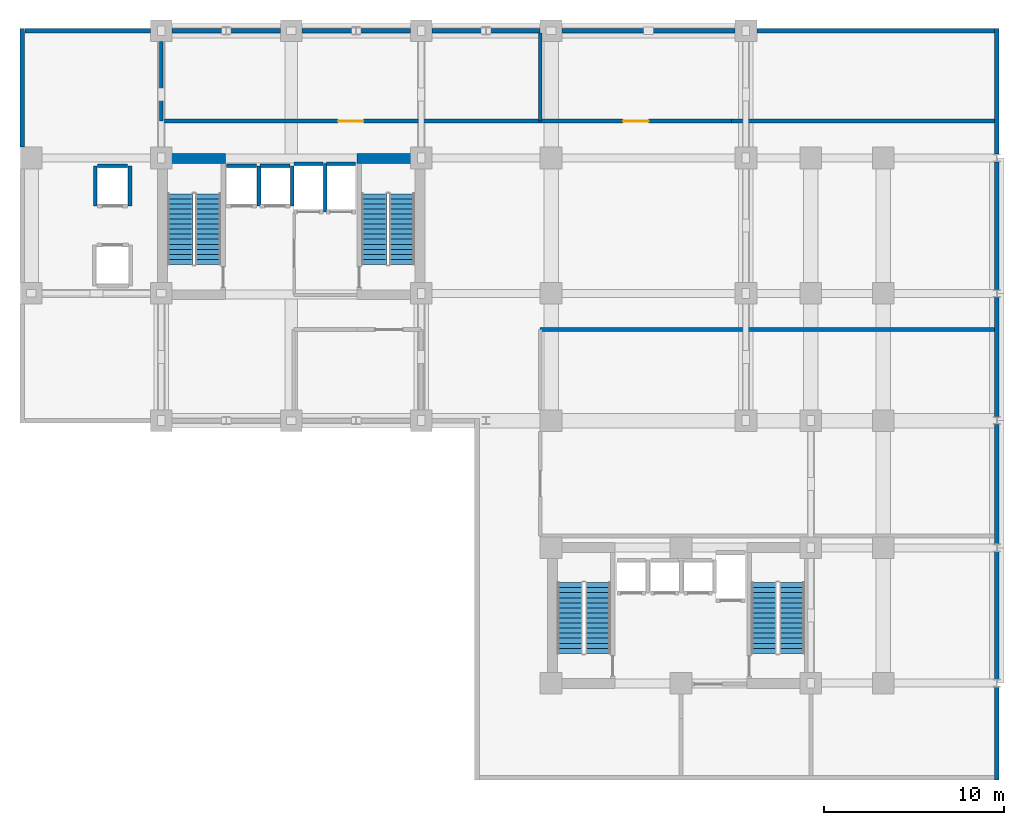
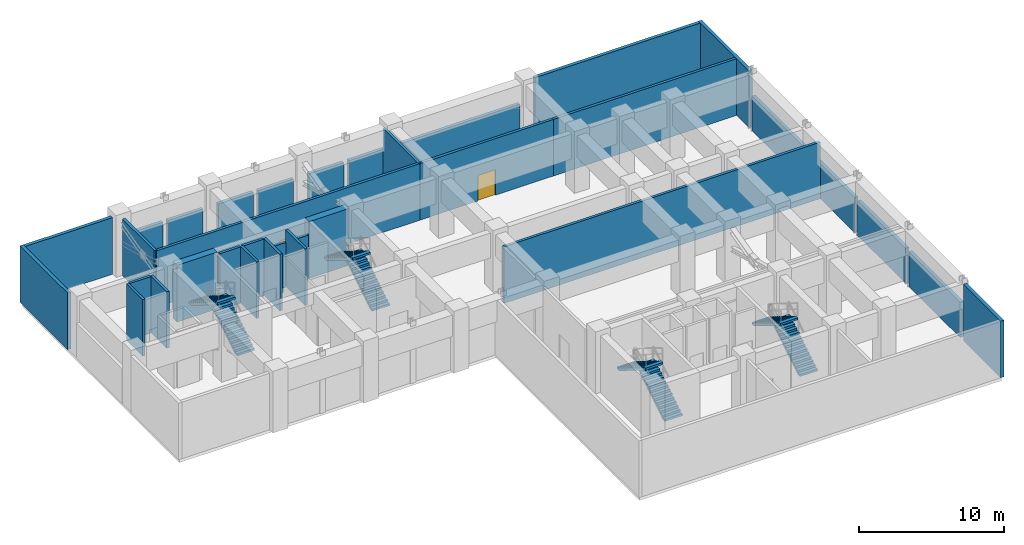
# One storey, part 5 of 8: 34 walls, 8 stair flights, 2 doors, 2 openings, 4 elements without a shape of their own.
"""IFC4 building model written with IfcOpenShell, lengths in metres."""

from ifc_helpers import new_model, si_unit, direction, frame, frame_2d, origin, place, context, subcontext, project, spatial, polyline, rectangle, outline, extrude, material, layer, layer_set, type_object, element, fill, aggregate, save


model = new_model("IFC4")

# Units and contexts
model_context = context("Model", 3, precision=1e-05, world=origin(), true_north=direction((0.0, 1.0)))
body_context = subcontext(model_context, "Body", "Model", "MODEL_VIEW")
ifc_project = project(units=[si_unit("LENGTHUNIT", "METRE"), si_unit("AREAUNIT", "SQUARE_METRE"), si_unit("VOLUMEUNIT", "CUBIC_METRE"), si_unit("PLANEANGLEUNIT", "RADIAN"), si_unit("MASSUNIT", "GRAM", prefix="KILO")], contexts=[model_context])

# Site, building, storey
site_placement = place(None, origin())
site = spatial("IfcSite", under=ifc_project, at=site_placement, CompositionType="ELEMENT")
building_placement = place(site_placement, origin())
building = spatial("IfcBuilding", under=site, at=building_placement, Name="Kaliganga Portal Commons", CompositionType="ELEMENT")
storey_placement = place(building_placement, frame((0.0, 0.0, 130.39990234375)))
storey = spatial("IfcBuildingStorey", under=building, at=storey_placement, Name="L33", CompositionType="ELEMENT", Elevation=130.39990234375)

# Walls
ifc_material_1 = material(Name="Concrete C60/75", Category="concrete")
ifc_layer_1 = layer(ifc_material_1, 0.550048828125)
ifc_layer_set_1 = layer_set([ifc_layer_1], Name="Concrete C60/75")
wall_type_1 = type_object("IfcWallType", Name="WL-CORE-550", PredefinedType="SHEAR", material=ifc_layer_set_1)
for number, where, z_axis, x_axis, name in (
    (1, (14.75, 36.125, 0.0), (0.0, 0.0, 1.0), (1.0, 0.0, 0.0), "Core A N-West Shear Wall L33"),
    (2, (25.25, 36.125, 0.0), (0.0, 0.0, 1.0), (1.0, 0.0, 0.0), "Core A N-East Shear Wall L33"),
):
    element("IfcWall", number, at=place(storey_placement, frame(where, z_axis=z_axis, x_axis=x_axis)), inside=storey, type_object=wall_type_1, Name=name, PredefinedType="SHEAR", context=body_context, shape_type="SweptSolid", body=[
        extrude(rectangle(XDim=3.199951171875, YDim=0.550048828125, at=frame_2d((1.60009765625, 0.0))), origin(), (0.0, 0.0, 1.0), 4.780029296875),
    ])
ifc_material_2 = material(Name="Insulated Aluminium-Clad Spandrel Assembly", Category="aluminium")
ifc_layer_2 = layer(ifc_material_2, 0.260009765625)
ifc_layer_set_2 = layer_set([ifc_layer_2], Name="Insulated Aluminium-Clad Spandrel Assembly")
wall_type_2 = type_object("IfcWallType", Name="WL-EXT-SPAND-260", PredefinedType="STANDARD", material=ifc_layer_set_2)
wall_1_placement = place(storey_placement, frame((60.699951171875, 6.833984375, 0.0), z_axis=(0.0, 0.0, 1.0), x_axis=(0.0, -1.0, 0.0)))
element("IfcWall", 3, at=wall_1_placement, inside=storey, type_object=wall_type_2, Name="Exterior Envelope Wall L33 P1-E01-S1", PredefinedType="STANDARD", context=body_context, shape_type="SweptSolid", body=[
    extrude(rectangle(XDim=5.1640625, YDim=0.260009765625, at=frame_2d((2.58203125, 0.0))), origin(), (0.0, 0.0, 1.0), 4.760009765625),
])
wall_2_placement = place(storey_placement, frame((60.699951171875, 14.333984375, 0.0), z_axis=(0.0, 0.0, 1.0), x_axis=(0.0, -1.0, 0.0)))
element("IfcWall", 4, at=wall_2_placement, inside=storey, type_object=wall_type_2, Name="Exterior Envelope Wall L33 P1-E01-S2", PredefinedType="STANDARD", context=body_context, shape_type="SweptSolid", body=[
    extrude(rectangle(XDim=7.06787109375, YDim=0.260009765625, at=frame_2d((3.533935546875, 0.0))), origin(), (0.0, 0.0, 1.0), 2.960205078125),
])
wall_3_placement = place(storey_placement, frame((60.699951171875, 21.384033203125, 0.0), z_axis=(0.0, 0.0, 1.0), x_axis=(0.0, -1.0, 0.0)))
element("IfcWall", 5, at=wall_3_placement, inside=storey, type_object=wall_type_2, Name="Exterior Envelope Wall L33 P1-E01-S3", PredefinedType="STANDARD", context=body_context, shape_type="SweptSolid", body=[
    extrude(rectangle(XDim=6.617919921875, YDim=0.260009765625, at=frame_2d((3.30908203125, 0.0))), origin(), (0.0, 0.0, 1.0), 2.960205078125),
])
wall_4_placement = place(storey_placement, frame((60.699951171875, 28.43408203125, 0.0), z_axis=(0.0, 0.0, 1.0), x_axis=(0.0, -1.0, 0.0)))
element("IfcWall", 6, at=wall_4_placement, inside=storey, type_object=wall_type_2, Name="Exterior Envelope Wall L33 P1-E01-S4", PredefinedType="STANDARD", context=body_context, shape_type="SweptSolid", body=[
    extrude(rectangle(XDim=6.6181640625, YDim=0.260009765625, at=frame_2d((3.30908203125, 0.0))), origin(), (0.0, 0.0, 1.0), 2.960205078125),
])
wall_5_placement = place(storey_placement, frame((60.699951171875, 35.93408203125, 0.0), z_axis=(0.0, 0.0, 1.0), x_axis=(0.0, -1.0, 0.0)))
element("IfcWall", 7, at=wall_5_placement, inside=storey, type_object=wall_type_2, Name="Exterior Envelope Wall L33 P1-E01-S5", PredefinedType="STANDARD", context=body_context, shape_type="SweptSolid", body=[
    extrude(rectangle(XDim=7.068115234375, YDim=0.260009765625, at=frame_2d((3.5341796875, 0.0))), origin(), (0.0, 0.0, 1.0), 2.960205078125),
])
wall_6_placement = place(storey_placement, frame((60.699951171875, 43.330078125, 0.0), z_axis=(0.0, 0.0, 1.0), x_axis=(0.0, -1.0, 0.0)))
element("IfcWall", 8, at=wall_6_placement, inside=storey, type_object=wall_type_2, Name="Exterior Envelope Wall L33 P1-E01-S6", PredefinedType="STANDARD", context=body_context, shape_type="SweptSolid", body=[
    extrude(rectangle(XDim=6.964111328125, YDim=0.260009765625, at=frame_2d((3.48193359375, 0.0))), origin(), (0.0, 0.0, 1.0), 4.760009765625),
])
wall_7_placement = place(storey_placement, frame((47.40087890625, 43.199951171875, 0.0), z_axis=(0.0, 0.0, 1.0), x_axis=(1.0, 0.0, 0.0)))
element("IfcWall", 9, at=wall_7_placement, inside=storey, type_object=wall_type_2, Name="Exterior Envelope Wall L33 P1-E02-S1", PredefinedType="STANDARD", context=body_context, shape_type="SweptSolid", body=[
    extrude(rectangle(XDim=13.1640625, YDim=0.260009765625, at=frame_2d((6.58203125, 0.0))), origin(), (0.0, 0.0, 1.0), 4.760009765625),
])
wall_8_placement = place(storey_placement, frame((36.60107421875, 43.199951171875, 0.0), z_axis=(0.0, 0.0, 1.0), x_axis=(1.0, 0.0, 0.0)))
element("IfcWall", 10, at=wall_8_placement, inside=storey, type_object=wall_type_2, Name="Exterior Envelope Wall L33 P1-E02-S2", PredefinedType="STANDARD", context=body_context, shape_type="SweptSolid", body=[
    extrude(rectangle(XDim=9.597900390625, YDim=0.260009765625, at=frame_2d((4.798828125, 0.0))), origin(), (0.0, 0.0, 1.0), 2.960205078125),
])
wall_9_placement = place(storey_placement, frame((32.60546875, 43.199951171875, 0.0), z_axis=(0.0, 0.0, 1.0), x_axis=(1.0, 0.0, 0.0)))
element("IfcWall", 11, at=wall_9_placement, inside=storey, type_object=wall_type_2, Name="Exterior Envelope Wall L33 P1-E02-S3", PredefinedType="STANDARD", context=body_context, shape_type="SweptSolid", body=[
    extrude(rectangle(XDim=2.79345703125, YDim=0.260009765625, at=frame_2d((1.396728515625, 0.0))), origin(), (0.0, 0.0, 1.0), 2.960205078125),
])
wall_10_placement = place(storey_placement, frame((29.40087890625, 43.199951171875, 0.0), z_axis=(0.0, 0.0, 1.0), x_axis=(1.0, 0.0, 0.0)))
element("IfcWall", 12, at=wall_10_placement, inside=storey, type_object=wall_type_2, Name="Exterior Envelope Wall L33 P1-E02-S4", PredefinedType="STANDARD", context=body_context, shape_type="SweptSolid", body=[
    extrude(rectangle(XDim=2.793701171875, YDim=0.260009765625, at=frame_2d((1.39697265625, 0.0))), origin(), (0.0, 0.0, 1.0), 2.960205078125),
])
for number, where, z_axis, x_axis, name in (
    (13, (25.405517578125, 43.199951171875, 0.0), (0.0, 0.0, 1.0), (1.0, 0.0, 0.0), "Exterior Envelope Wall L33 P1-E02-S5"),
    (14, (22.200927734375, 43.199951171875, 0.0), (0.0, 0.0, 1.0), (1.0, 0.0, 0.0), "Exterior Envelope Wall L33 P1-E02-S6"),
    (15, (18.20556640625, 43.199951171875, 0.0), (0.0, 0.0, 1.0), (1.0, 0.0, 0.0), "Exterior Envelope Wall L33 P1-E02-S7"),
    (16, (15.0009765625, 43.199951171875, 0.0), (0.0, 0.0, 1.0), (1.0, 0.0, 0.0), "Exterior Envelope Wall L33 P1-E02-S8"),
):
    element("IfcWall", number, at=place(storey_placement, frame(where, z_axis=z_axis, x_axis=x_axis)), inside=storey, type_object=wall_type_2, Name=name, PredefinedType="STANDARD", context=body_context, shape_type="SweptSolid", body=[
        extrude(rectangle(XDim=2.79345703125, YDim=0.260009765625, at=frame_2d((1.396728515625, 0.0))), origin(), (0.0, 0.0, 1.0), 2.960205078125),
    ])
wall_11_placement = place(storey_placement, frame((6.8349609375, 43.199951171875, 0.0), z_axis=(0.0, 0.0, 1.0), x_axis=(1.0, 0.0, 0.0)))
element("IfcWall", 17, at=wall_11_placement, inside=storey, type_object=wall_type_2, Name="Exterior Envelope Wall L33 P1-E02-S9", PredefinedType="STANDARD", context=body_context, shape_type="SweptSolid", body=[
    extrude(rectangle(XDim=6.964111328125, YDim=0.260009765625, at=frame_2d((3.48193359375, 0.0))), origin(), (0.0, 0.0, 1.0), 4.760009765625),
])
wall_12_placement = place(storey_placement, frame((6.699951171875, 36.7509765625, 0.0), z_axis=(0.0, 0.0, 1.0), x_axis=(0.0, 1.0, 0.0)))
element("IfcWall", 18, at=wall_12_placement, inside=storey, type_object=wall_type_2, Name="Exterior Envelope Wall L33 P1-E03-S1", PredefinedType="STANDARD", context=body_context, shape_type="SweptSolid", body=[
    extrude(rectangle(XDim=6.5791015625, YDim=0.260009765625, at=frame_2d((3.28955078125, 0.0))), origin(), (0.0, 0.0, 1.0), 4.760009765625),
])

# Wall, opening, door
ifc_material_3 = material(Name="Lightweight blockwork masonry", Category="masonry")
ifc_layer_3 = layer(ifc_material_3, 0.215087890625)
ifc_layer_set_3 = layer_set([ifc_layer_3], Name="Lightweight blockwork masonry")
wall_type_3 = type_object("IfcWallType", Name="WL-PART-PLANT-215", PredefinedType="PARTITIONING", material=ifc_layer_set_3)
wall_13_placement = place(storey_placement, frame((14.39990234375, 38.199951171875, 0.0), z_axis=(0.0, 0.0, 1.0), x_axis=(1.0, 0.0, 0.0)))
wall_13 = element("IfcWall", 19, at=wall_13_placement, inside=storey, type_object=wall_type_3, Name="Interior Partition L33-002", PredefinedType="PARTITIONING", context=body_context, shape_type="SweptSolid", body=[
    extrude(rectangle(XDim=21.0, YDim=0.215087890625, at=frame_2d((10.5, 0.0))), origin(), (0.0, 0.0, 1.0), 4.760009765625),
])
opening_1_placement = place(wall_13_placement, frame((9.800048828125, 0.0, 0.0)))
opening_1 = element("IfcOpeningElement", 20, at=opening_1_placement, cuts=wall_13, Name="Opening PD-01", PredefinedType="OPENING", context=body_context, shape_type="SweptSolid", body=[
    extrude(rectangle(XDim=1.39990234375, YDim=2.14990234375, at=frame_2d((0.699951171875, 1.074951171875))), frame((0.0, 0.11767578125, 0.0), z_axis=(0.0, -1.0, 0.0), x_axis=(1.0, 0.0, 0.0)), (0.0, 0.0, 1.0), 0.235107421875),
])
ifc_material_4 = material(Name="Heavy-Duty Steel Acoustic Louvre Fire Door", Category="steel")
door_type = type_object("IfcDoorType", Name="DR-PLANT-1400", OperationType="DOUBLE_DOOR_SINGLE_SWING", PredefinedType="DOOR", material=ifc_material_4)
door_1_placement = place(opening_1_placement, origin())
door_1 = element("IfcDoor", 21, at=door_1_placement, inside=storey, type_object=door_type, Name="Interior Door L33-AHU_N", OperationType="DOUBLE_DOOR_SINGLE_SWING", OverallHeight=2.14990234375, OverallWidth=1.39990234375, PredefinedType="DOOR", context=body_context, shape_type="SweptSolid", body=[
    extrude(rectangle(XDim=1.39990234375, YDim=2.14990234375, at=frame_2d((0.699951171875, 1.074951171875))), frame((0.0, 0.02490234375, 0.0), z_axis=(0.0, -1.0, 0.0), x_axis=(1.0, 0.0, 0.0)), (0.0, 0.0, 1.0), 0.050048828125),
])
fill(opening_1, door_1)

wall_14_placement = place(storey_placement, frame((35.39990234375, 38.199951171875, 0.0), z_axis=(0.0, 0.0, 1.0), x_axis=(1.0, 0.0, 0.0)))
wall_14 = element("IfcWall", 22, at=wall_14_placement, inside=storey, type_object=wall_type_3, Name="Interior Partition L33-005", PredefinedType="PARTITIONING", context=body_context, shape_type="SweptSolid", body=[
    extrude(rectangle(XDim=10.60009765625, YDim=0.215087890625, at=frame_2d((5.300048828125, 0.0))), origin(), (0.0, 0.0, 1.0), 4.760009765625),
])
opening_2_placement = place(wall_14_placement, frame((4.60009765625, 0.0, 0.0)))
opening_2 = element("IfcOpeningElement", 23, at=opening_2_placement, cuts=wall_14, Name="Opening PD-01", PredefinedType="OPENING", context=body_context, shape_type="SweptSolid", body=[
    extrude(rectangle(XDim=1.39990234375, YDim=2.14990234375, at=frame_2d((0.699951171875, 1.074951171875))), frame((0.0, 0.11767578125, 0.0), z_axis=(0.0, -1.0, 0.0), x_axis=(1.0, 0.0, 0.0)), (0.0, 0.0, 1.0), 0.235107421875),
])
door_2_placement = place(opening_2_placement, origin())
door_2 = element("IfcDoor", 24, at=door_2_placement, inside=storey, type_object=door_type, Name="Interior Door L33-ELEC", OperationType="DOUBLE_DOOR_SINGLE_SWING", OverallHeight=2.14990234375, OverallWidth=1.39990234375, PredefinedType="DOOR", context=body_context, shape_type="SweptSolid", body=[
    extrude(rectangle(XDim=1.39990234375, YDim=2.14990234375, at=frame_2d((0.699951171875, 1.074951171875))), frame((0.0, 0.02490234375, 0.0), z_axis=(0.0, -1.0, 0.0), x_axis=(1.0, 0.0, 0.0)), (0.0, 0.0, 1.0), 0.050048828125),
])
fill(opening_2, door_2)

# Walls
wall_15_placement = place(storey_placement, frame((35.39990234375, 26.639892578125, 0.0), z_axis=(0.0, 0.0, 1.0), x_axis=(1.0, 0.0, 0.0)))
element("IfcWall", 25, at=wall_15_placement, inside=storey, type_object=wall_type_3, Name="Interior Partition L33-009", PredefinedType="PARTITIONING", context=body_context, shape_type="SweptSolid", body=[
    extrude(rectangle(XDim=25.168212890625, YDim=0.215087890625, at=frame_2d((12.583984375, 0.0))), origin(), (0.0, 0.0, 1.0), 4.760009765625),
])
wall_16_placement = place(storey_placement, frame((46.0, 38.199951171875, 0.0), z_axis=(0.0, 0.0, 1.0), x_axis=(1.0, 0.0, 0.0)))
element("IfcWall", 26, at=wall_16_placement, inside=storey, type_object=wall_type_3, Name="Interior Partition L33-010", PredefinedType="PARTITIONING", context=body_context, shape_type="SweptSolid", body=[
    extrude(rectangle(XDim=14.568115234375, YDim=0.215087890625, at=frame_2d((7.2841796875, 0.0))), origin(), (0.0, 0.0, 1.0), 4.760009765625),
])
wall_17_placement = place(storey_placement, frame((14.39990234375, 38.199951171875, 0.0), z_axis=(0.0, 0.0, 1.0), x_axis=(0.0, 1.0, 0.0)))
element("IfcWall", 27, at=wall_17_placement, inside=storey, type_object=wall_type_3, Name="Interior Partition L33-014", PredefinedType="PARTITIONING", context=body_context, shape_type="SweptSolid", body=[
    extrude(rectangle(XDim=4.400146484375, YDim=0.215087890625, at=frame_2d((2.2001953125, 0.0))), origin(), (0.0, 0.0, 1.0), 4.760009765625),
])
wall_18_placement = place(storey_placement, frame((35.39990234375, 38.199951171875, 0.0), z_axis=(0.0, 0.0, 1.0), x_axis=(0.0, 1.0, 0.0)))
element("IfcWall", 28, at=wall_18_placement, inside=storey, type_object=wall_type_3, Name="Interior Partition L33-015", PredefinedType="PARTITIONING", context=body_context, shape_type="SweptSolid", body=[
    extrude(rectangle(XDim=4.8681640625, YDim=0.215087890625, at=frame_2d((2.43408203125, 0.0))), origin(), (0.0, 0.0, 1.0), 4.760009765625),
])
ifc_material_5 = material(Name="Fire-Rated Shaftwall Masonry Assembly", Category="masonry")
ifc_layer_4 = layer(ifc_material_5, 0.199951171875)
ifc_layer_set_4 = layer_set([ifc_layer_4], Name="Fire-Rated Shaftwall Masonry Assembly")
wall_type_4 = type_object("IfcWallType", Name="WL-SHAFT-200", PredefinedType="PARTITIONING", material=ifc_layer_set_4)
wall_19_placement = place(storey_placement, frame((18.02490234375, 35.715087890625, 0.0), z_axis=(0.0, 0.0, 1.0), x_axis=(1.0, 0.0, 0.0)))
element("IfcWall", 29, at=wall_19_placement, inside=storey, type_object=wall_type_4, Name="Lift PL-A1 Hoistway Shaft Wall L33-N", PredefinedType="PARTITIONING", context=body_context, shape_type="SweptSolid", body=[
    extrude(rectangle(XDim=1.650146484375, YDim=0.199951171875, at=frame_2d((0.8251953125, 0.0))), origin(), (0.0, 0.0, 1.0), 4.760009765625),
])
wall_20_placement = place(storey_placement, frame((19.81494140625, 33.485107421875, 0.0), z_axis=(0.0, 0.0, 1.0), x_axis=(0.0, 1.0, 0.0)))
element("IfcWall", 30, at=wall_20_placement, inside=storey, type_object=wall_type_4, Name="Lift PL-A1 Hoistway Shaft Wall L33-E", PredefinedType="PARTITIONING", context=body_context, shape_type="SweptSolid", body=[
    extrude(rectangle(XDim=2.22998046875, YDim=0.199951171875, at=frame_2d((1.114990234375, 0.0))), origin(), (0.0, 0.0, 1.0), 4.760009765625),
])
wall_21_placement = place(storey_placement, frame((19.875, 35.715087890625, 0.0), z_axis=(0.0, 0.0, 1.0), x_axis=(1.0, 0.0, 0.0)))
element("IfcWall", 31, at=wall_21_placement, inside=storey, type_object=wall_type_4, Name="Lift PL-A2 Hoistway Shaft Wall L33-N", PredefinedType="PARTITIONING", context=body_context, shape_type="SweptSolid", body=[
    extrude(rectangle(XDim=1.64990234375, YDim=0.199951171875, at=frame_2d((0.824951171875, 0.0))), origin(), (0.0, 0.0, 1.0), 4.760009765625),
])
wall_22_placement = place(storey_placement, frame((21.6650390625, 33.485107421875, 0.0), z_axis=(0.0, 0.0, 1.0), x_axis=(0.0, 1.0, 0.0)))
element("IfcWall", 32, at=wall_22_placement, inside=storey, type_object=wall_type_4, Name="Lift PL-A2 Hoistway Shaft Wall L33-E", PredefinedType="PARTITIONING", context=body_context, shape_type="SweptSolid", body=[
    extrude(rectangle(XDim=2.22998046875, YDim=0.199951171875, at=frame_2d((1.114990234375, 0.0))), origin(), (0.0, 0.0, 1.0), 4.760009765625),
])
wall_23_placement = place(storey_placement, frame((10.875, 35.715087890625, 0.0), z_axis=(0.0, 0.0, 1.0), x_axis=(1.0, 0.0, 0.0)))
element("IfcWall", 33, at=wall_23_placement, inside=storey, type_object=wall_type_4, Name="Lift PL-OBS Hoistway Shaft Wall L33-N", PredefinedType="PARTITIONING", context=body_context, shape_type="SweptSolid", body=[
    extrude(rectangle(XDim=1.64990234375, YDim=0.199951171875, at=frame_2d((0.824951171875, 0.0))), origin(), (0.0, 0.0, 1.0), 4.760009765625),
])
for number, where, z_axis, x_axis, name in (
    (34, (10.735107421875, 33.485107421875, 0.0), (0.0, 0.0, 1.0), (0.0, 1.0, 0.0), "Lift PL-OBS Hoistway Shaft Wall L33-W"),
    (35, (12.6650390625, 33.485107421875, 0.0), (0.0, 0.0, 1.0), (0.0, 1.0, 0.0), "Lift PL-OBS Hoistway Shaft Wall L33-E"),
):
    element("IfcWall", number, at=place(storey_placement, frame(where, z_axis=z_axis, x_axis=x_axis)), inside=storey, type_object=wall_type_4, Name=name, PredefinedType="PARTITIONING", context=body_context, shape_type="SweptSolid", body=[
        extrude(rectangle(XDim=2.22998046875, YDim=0.199951171875, at=frame_2d((1.114990234375, 0.0))), origin(), (0.0, 0.0, 1.0), 4.760009765625),
    ])
wall_24_placement = place(storey_placement, frame((21.75, 35.840087890625, 0.0), z_axis=(0.0, 0.0, 1.0), x_axis=(1.0, 0.0, 0.0)))
element("IfcWall", 36, at=wall_24_placement, inside=storey, type_object=wall_type_4, Name="Lift FFL-1 Hoistway Shaft Wall L33-N", PredefinedType="PARTITIONING", context=body_context, shape_type="SweptSolid", body=[
    extrude(rectangle(XDim=1.60009765625, YDim=0.199951171875, at=frame_2d((0.800048828125, 0.0))), origin(), (0.0, 0.0, 1.0), 3.760009765625),
])
wall_25_placement = place(storey_placement, frame((23.489990234375, 33.159912109375, 0.0), z_axis=(0.0, 0.0, 1.0), x_axis=(0.0, 1.0, 0.0)))
element("IfcWall", 37, at=wall_25_placement, inside=storey, type_object=wall_type_4, Name="Lift FFL-1 Hoistway Shaft Wall L33-E", PredefinedType="PARTITIONING", context=body_context, shape_type="SweptSolid", body=[
    extrude(rectangle(XDim=2.68017578125, YDim=0.199951171875, at=frame_2d((1.340087890625, 0.0))), origin(), (0.0, 0.0, 1.0), 4.760009765625),
])
wall_26_placement = place(storey_placement, frame((23.550048828125, 35.840087890625, 0.0), z_axis=(0.0, 0.0, 1.0), x_axis=(1.0, 0.0, 0.0)))
element("IfcWall", 38, at=wall_26_placement, inside=storey, type_object=wall_type_4, Name="Lift FFL-2 Hoistway Shaft Wall L33-N", PredefinedType="PARTITIONING", context=body_context, shape_type="SweptSolid", body=[
    extrude(rectangle(XDim=1.599853515625, YDim=0.199951171875, at=frame_2d((0.7998046875, 0.0))), origin(), (0.0, 0.0, 1.0), 3.760009765625),
])

# Stair, stair flights
ifc_material_6 = material(Name="Concrete C40/50", Category="concrete")
stair_type = type_object("IfcStairType", Name="ST-CORE-DOGLEG", PredefinedType="HALF_TURN_STAIR", material=ifc_material_6)
stair_1_placement = place(storey_placement, origin())
stair_1 = element("IfcStair", 39, at=stair_1_placement, inside=storey, type_object=stair_type, Name="L33 Protected Exit Stair ST-A1", PredefinedType="HALF_TURN_STAIR")
stair_flight_type = type_object("IfcStairFlightType", Name="STF-RC-1400", PredefinedType="STRAIGHT", material=ifc_material_6)
stair_flight_1_placement = place(storey_placement, frame((17.0, 30.25, 0.0), z_axis=(0.0, 0.0, 1.0), x_axis=(0.0, 1.0, 0.0)))
stair_flight_1 = element("IfcStairFlight", 40, at=stair_flight_1_placement, type_object=stair_flight_type, Name="ST-A1 flight 1", NumberOfRisers=15, NumberOfTreads=14, PredefinedType="STRAIGHT", RiserHeight=0.173333333, TreadLength=0.28, context=body_context, shape_type="SweptSolid", body=[
    extrude(outline(polyline([(0.0, 0.0), (0.0, 0.17333984375), (0.280029296875, 0.17333984375), (0.280029296875, 0.3466796875), (0.56005859375, 0.3466796875), (0.56005859375, 0.52001953125), (0.840087890625, 0.52001953125), (0.840087890625, 0.693359375), (1.1201171875, 0.693359375), (1.1201171875, 0.86669921875), (1.39990234375, 0.86669921875), (1.39990234375, 1.0400390625), (1.679931640625, 1.0400390625), (1.679931640625, 1.21337890625), (1.9599609375, 1.21337890625), (1.9599609375, 1.38671875), (2.239990234375, 1.38671875), (2.239990234375, 1.56005859375), (2.52001953125, 1.56005859375), (2.52001953125, 1.7333984375), (2.800048828125, 1.7333984375), (2.800048828125, 1.90673828125), (3.080078125, 1.90673828125), (3.080078125, 2.080078125), (3.360107421875, 2.080078125), (3.360107421875, 2.25341796875), (3.639892578125, 2.25341796875), (3.639892578125, 2.4267578125), (3.919921875, 2.4267578125), (3.919921875, 2.60009765625), (3.919921875, 2.250244140625), (0.284912109375, 0.0), (0.0, 0.0)])), frame((0.0, 0.699951171875, 0.0), z_axis=(0.0, -1.0, 0.0), x_axis=(1.0, 0.0, 0.0)), (0.0, 0.0, 1.0), 1.39990234375),
])
stair_flight_2_placement = place(storey_placement, frame((15.449951171875, 34.169921875, 2.60009765625), z_axis=(0.0, 0.0, 1.0), x_axis=(0.0, -1.0, 0.0)))
stair_flight_2 = element("IfcStairFlight", 41, at=stair_flight_2_placement, type_object=stair_flight_type, Name="ST-A1 flight 2", NumberOfRisers=15, NumberOfTreads=14, PredefinedType="STRAIGHT", RiserHeight=0.173333333, TreadLength=0.28, context=body_context, shape_type="SweptSolid", body=[
    extrude(outline(polyline([(0.0, 0.0), (0.0, 0.17333984375), (0.280029296875, 0.17333984375), (0.280029296875, 0.3466796875), (0.56005859375, 0.3466796875), (0.56005859375, 0.52001953125), (0.840087890625, 0.52001953125), (0.840087890625, 0.693359375), (1.1201171875, 0.693359375), (1.1201171875, 0.86669921875), (1.39990234375, 0.86669921875), (1.39990234375, 1.0400390625), (1.679931640625, 1.0400390625), (1.679931640625, 1.21337890625), (1.9599609375, 1.21337890625), (1.9599609375, 1.38671875), (2.239990234375, 1.38671875), (2.239990234375, 1.56005859375), (2.52001953125, 1.56005859375), (2.52001953125, 1.7333984375), (2.800048828125, 1.7333984375), (2.800048828125, 1.90673828125), (3.080078125, 1.90673828125), (3.080078125, 2.080078125), (3.360107421875, 2.080078125), (3.360107421875, 2.25341796875), (3.639892578125, 2.25341796875), (3.639892578125, 2.4267578125), (3.919921875, 2.4267578125), (3.919921875, 2.60009765625), (3.919921875, 2.250244140625), (0.284912109375, 0.0), (0.0, 0.0)])), frame((0.0, 0.699951171875, 0.0), z_axis=(0.0, -1.0, 0.0), x_axis=(1.0, 0.0, 0.0)), (0.0, 0.0, 1.0), 1.39990234375),
])
aggregate(stair_1, [stair_flight_1, stair_flight_2])

stair_2_placement = place(storey_placement, origin())
stair_2 = element("IfcStair", 42, at=stair_2_placement, inside=storey, type_object=stair_type, Name="L33 Protected Exit Stair ST-A2", PredefinedType="HALF_TURN_STAIR")
stair_flight_3_placement = place(storey_placement, frame((27.75, 30.25, 0.0), z_axis=(0.0, 0.0, 1.0), x_axis=(0.0, 1.0, 0.0)))
stair_flight_3 = element("IfcStairFlight", 43, at=stair_flight_3_placement, type_object=stair_flight_type, Name="ST-A2 flight 1", NumberOfRisers=15, NumberOfTreads=14, PredefinedType="STRAIGHT", RiserHeight=0.173333333, TreadLength=0.28, context=body_context, shape_type="SweptSolid", body=[
    extrude(outline(polyline([(0.0, 0.0), (0.0, 0.17333984375), (0.280029296875, 0.17333984375), (0.280029296875, 0.3466796875), (0.56005859375, 0.3466796875), (0.56005859375, 0.52001953125), (0.840087890625, 0.52001953125), (0.840087890625, 0.693359375), (1.1201171875, 0.693359375), (1.1201171875, 0.86669921875), (1.39990234375, 0.86669921875), (1.39990234375, 1.0400390625), (1.679931640625, 1.0400390625), (1.679931640625, 1.21337890625), (1.9599609375, 1.21337890625), (1.9599609375, 1.38671875), (2.239990234375, 1.38671875), (2.239990234375, 1.56005859375), (2.52001953125, 1.56005859375), (2.52001953125, 1.7333984375), (2.800048828125, 1.7333984375), (2.800048828125, 1.90673828125), (3.080078125, 1.90673828125), (3.080078125, 2.080078125), (3.360107421875, 2.080078125), (3.360107421875, 2.25341796875), (3.639892578125, 2.25341796875), (3.639892578125, 2.4267578125), (3.919921875, 2.4267578125), (3.919921875, 2.60009765625), (3.919921875, 2.250244140625), (0.284912109375, 0.0), (0.0, 0.0)])), frame((0.0, 0.699951171875, 0.0), z_axis=(0.0, -1.0, 0.0), x_axis=(1.0, 0.0, 0.0)), (0.0, 0.0, 1.0), 1.39990234375),
])
stair_flight_4_placement = place(storey_placement, frame((26.199951171875, 34.169921875, 2.60009765625), z_axis=(0.0, 0.0, 1.0), x_axis=(0.0, -1.0, 0.0)))
stair_flight_4 = element("IfcStairFlight", 44, at=stair_flight_4_placement, type_object=stair_flight_type, Name="ST-A2 flight 2", NumberOfRisers=15, NumberOfTreads=14, PredefinedType="STRAIGHT", RiserHeight=0.173333333, TreadLength=0.28, context=body_context, shape_type="SweptSolid", body=[
    extrude(outline(polyline([(0.0, 0.0), (0.0, 0.17333984375), (0.280029296875, 0.17333984375), (0.280029296875, 0.3466796875), (0.56005859375, 0.3466796875), (0.56005859375, 0.52001953125), (0.840087890625, 0.52001953125), (0.840087890625, 0.693359375), (1.1201171875, 0.693359375), (1.1201171875, 0.86669921875), (1.39990234375, 0.86669921875), (1.39990234375, 1.0400390625), (1.679931640625, 1.0400390625), (1.679931640625, 1.21337890625), (1.9599609375, 1.21337890625), (1.9599609375, 1.38671875), (2.239990234375, 1.38671875), (2.239990234375, 1.56005859375), (2.52001953125, 1.56005859375), (2.52001953125, 1.7333984375), (2.800048828125, 1.7333984375), (2.800048828125, 1.90673828125), (3.080078125, 1.90673828125), (3.080078125, 2.080078125), (3.360107421875, 2.080078125), (3.360107421875, 2.25341796875), (3.639892578125, 2.25341796875), (3.639892578125, 2.4267578125), (3.919921875, 2.4267578125), (3.919921875, 2.60009765625), (3.919921875, 2.250244140625), (0.284912109375, 0.0), (0.0, 0.0)])), frame((0.0, 0.699951171875, 0.0), z_axis=(0.0, -1.0, 0.0), x_axis=(1.0, 0.0, 0.0)), (0.0, 0.0, 1.0), 1.39990234375),
])
aggregate(stair_2, [stair_flight_3, stair_flight_4])

stair_3_placement = place(storey_placement, origin())
stair_3 = element("IfcStair", 45, at=stair_3_placement, inside=storey, type_object=stair_type, Name="L33 Protected Exit Stair ST-B1", PredefinedType="HALF_TURN_STAIR")
stair_flight_5_placement = place(storey_placement, frame((38.60009765625, 8.699951171875, 0.0), z_axis=(0.0, 0.0, 1.0), x_axis=(0.0, 1.0, 0.0)))
stair_flight_5 = element("IfcStairFlight", 46, at=stair_flight_5_placement, type_object=stair_flight_type, Name="ST-B1 flight 1", NumberOfRisers=15, NumberOfTreads=14, PredefinedType="STRAIGHT", RiserHeight=0.173333333, TreadLength=0.28, context=body_context, shape_type="SweptSolid", body=[
    extrude(outline(polyline([(0.0, 0.0), (0.0, 0.17333984375), (0.280029296875, 0.17333984375), (0.280029296875, 0.3466796875), (0.56005859375, 0.3466796875), (0.56005859375, 0.52001953125), (0.840087890625, 0.52001953125), (0.840087890625, 0.693359375), (1.1201171875, 0.693359375), (1.1201171875, 0.86669921875), (1.39990234375, 0.86669921875), (1.39990234375, 1.0400390625), (1.679931640625, 1.0400390625), (1.679931640625, 1.21337890625), (1.9599609375, 1.21337890625), (1.9599609375, 1.38671875), (2.239990234375, 1.38671875), (2.239990234375, 1.56005859375), (2.52001953125, 1.56005859375), (2.52001953125, 1.7333984375), (2.800048828125, 1.7333984375), (2.800048828125, 1.90673828125), (3.080078125, 1.90673828125), (3.080078125, 2.080078125), (3.360107421875, 2.080078125), (3.360107421875, 2.25341796875), (3.639892578125, 2.25341796875), (3.639892578125, 2.4267578125), (3.919921875, 2.4267578125), (3.919921875, 2.60009765625), (3.919921875, 2.250244140625), (0.284912109375, 0.0), (0.0, 0.0)])), frame((0.0, 0.699951171875, 0.0), z_axis=(0.0, -1.0, 0.0), x_axis=(1.0, 0.0, 0.0)), (0.0, 0.0, 1.0), 1.39990234375),
])
stair_flight_6_placement = place(storey_placement, frame((37.050048828125, 12.6201171875, 2.60009765625), z_axis=(0.0, 0.0, 1.0), x_axis=(0.0, -1.0, 0.0)))
stair_flight_6 = element("IfcStairFlight", 47, at=stair_flight_6_placement, type_object=stair_flight_type, Name="ST-B1 flight 2", NumberOfRisers=15, NumberOfTreads=14, PredefinedType="STRAIGHT", RiserHeight=0.173333333, TreadLength=0.28, context=body_context, shape_type="SweptSolid", body=[
    extrude(outline(polyline([(0.0, 0.0), (0.0, 0.17333984375), (0.280029296875, 0.17333984375), (0.280029296875, 0.3466796875), (0.56005859375, 0.3466796875), (0.56005859375, 0.52001953125), (0.840087890625, 0.52001953125), (0.840087890625, 0.693359375), (1.1201171875, 0.693359375), (1.1201171875, 0.86669921875), (1.39990234375, 0.86669921875), (1.39990234375, 1.0400390625), (1.679931640625, 1.0400390625), (1.679931640625, 1.21337890625), (1.9599609375, 1.21337890625), (1.9599609375, 1.38671875), (2.239990234375, 1.38671875), (2.239990234375, 1.56005859375), (2.52001953125, 1.56005859375), (2.52001953125, 1.7333984375), (2.800048828125, 1.7333984375), (2.800048828125, 1.90673828125), (3.080078125, 1.90673828125), (3.080078125, 2.080078125), (3.360107421875, 2.080078125), (3.360107421875, 2.25341796875), (3.639892578125, 2.25341796875), (3.639892578125, 2.4267578125), (3.919921875, 2.4267578125), (3.919921875, 2.60009765625), (3.919921875, 2.250244140625), (0.284912109375, 0.0), (0.0, 0.0)])), frame((0.0, 0.699951171875, 0.0), z_axis=(0.0, -1.0, 0.0), x_axis=(1.0, 0.0, 0.0)), (0.0, 0.0, 1.0), 1.39990234375),
])
aggregate(stair_3, [stair_flight_5, stair_flight_6])

stair_4_placement = place(storey_placement, origin())
stair_4 = element("IfcStair", 48, at=stair_4_placement, inside=storey, type_object=stair_type, Name="L33 Protected Exit Stair ST-B2", PredefinedType="HALF_TURN_STAIR")
stair_flight_7_placement = place(storey_placement, frame((49.35009765625, 8.699951171875, 0.0), z_axis=(0.0, 0.0, 1.0), x_axis=(0.0, 1.0, 0.0)))
stair_flight_7 = element("IfcStairFlight", 49, at=stair_flight_7_placement, type_object=stair_flight_type, Name="ST-B2 flight 1", NumberOfRisers=15, NumberOfTreads=14, PredefinedType="STRAIGHT", RiserHeight=0.173333333, TreadLength=0.28, context=body_context, shape_type="SweptSolid", body=[
    extrude(outline(polyline([(0.0, 0.0), (0.0, 0.17333984375), (0.280029296875, 0.17333984375), (0.280029296875, 0.3466796875), (0.56005859375, 0.3466796875), (0.56005859375, 0.52001953125), (0.840087890625, 0.52001953125), (0.840087890625, 0.693359375), (1.1201171875, 0.693359375), (1.1201171875, 0.86669921875), (1.39990234375, 0.86669921875), (1.39990234375, 1.0400390625), (1.679931640625, 1.0400390625), (1.679931640625, 1.21337890625), (1.9599609375, 1.21337890625), (1.9599609375, 1.38671875), (2.239990234375, 1.38671875), (2.239990234375, 1.56005859375), (2.52001953125, 1.56005859375), (2.52001953125, 1.7333984375), (2.800048828125, 1.7333984375), (2.800048828125, 1.90673828125), (3.080078125, 1.90673828125), (3.080078125, 2.080078125), (3.360107421875, 2.080078125), (3.360107421875, 2.25341796875), (3.639892578125, 2.25341796875), (3.639892578125, 2.4267578125), (3.919921875, 2.4267578125), (3.919921875, 2.60009765625), (3.919921875, 2.250244140625), (0.284912109375, 0.0), (0.0, 0.0)])), frame((0.0, 0.699951171875, 0.0), z_axis=(0.0, -1.0, 0.0), x_axis=(1.0, 0.0, 0.0)), (0.0, 0.0, 1.0), 1.39990234375),
])
stair_flight_8_placement = place(storey_placement, frame((47.800048828125, 12.6201171875, 2.60009765625), z_axis=(0.0, 0.0, 1.0), x_axis=(0.0, -1.0, 0.0)))
stair_flight_8 = element("IfcStairFlight", 50, at=stair_flight_8_placement, type_object=stair_flight_type, Name="ST-B2 flight 2", NumberOfRisers=15, NumberOfTreads=14, PredefinedType="STRAIGHT", RiserHeight=0.173333333, TreadLength=0.28, context=body_context, shape_type="SweptSolid", body=[
    extrude(outline(polyline([(0.0, 0.0), (0.0, 0.17333984375), (0.280029296875, 0.17333984375), (0.280029296875, 0.3466796875), (0.56005859375, 0.3466796875), (0.56005859375, 0.52001953125), (0.840087890625, 0.52001953125), (0.840087890625, 0.693359375), (1.1201171875, 0.693359375), (1.1201171875, 0.86669921875), (1.39990234375, 0.86669921875), (1.39990234375, 1.0400390625), (1.679931640625, 1.0400390625), (1.679931640625, 1.21337890625), (1.9599609375, 1.21337890625), (1.9599609375, 1.38671875), (2.239990234375, 1.38671875), (2.239990234375, 1.56005859375), (2.52001953125, 1.56005859375), (2.52001953125, 1.7333984375), (2.800048828125, 1.7333984375), (2.800048828125, 1.90673828125), (3.080078125, 1.90673828125), (3.080078125, 2.080078125), (3.360107421875, 2.080078125), (3.360107421875, 2.25341796875), (3.639892578125, 2.25341796875), (3.639892578125, 2.4267578125), (3.919921875, 2.4267578125), (3.919921875, 2.60009765625), (3.919921875, 2.250244140625), (0.284912109375, 0.0), (0.0, 0.0)])), frame((0.0, 0.699951171875, 0.0), z_axis=(0.0, -1.0, 0.0), x_axis=(1.0, 0.0, 0.0)), (0.0, 0.0, 1.0), 1.39990234375),
])
aggregate(stair_4, [stair_flight_7, stair_flight_8])

save(model, "model.ifc")
